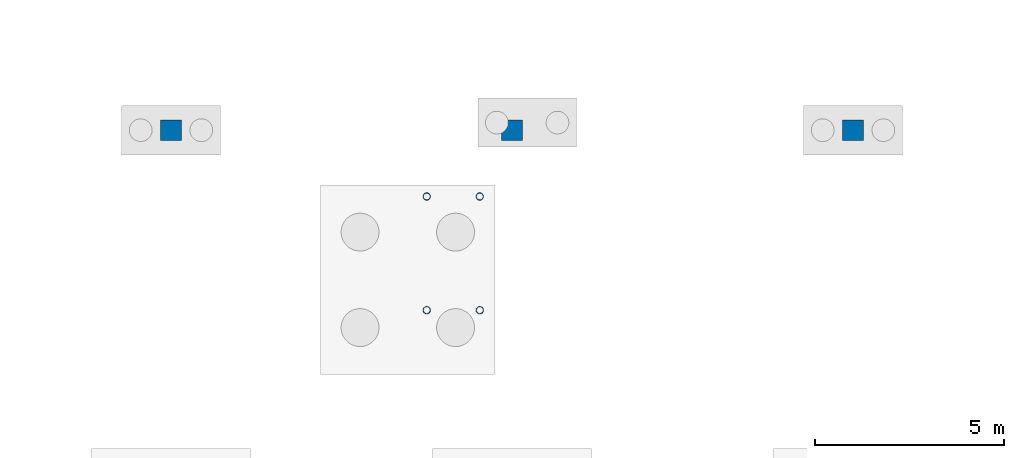
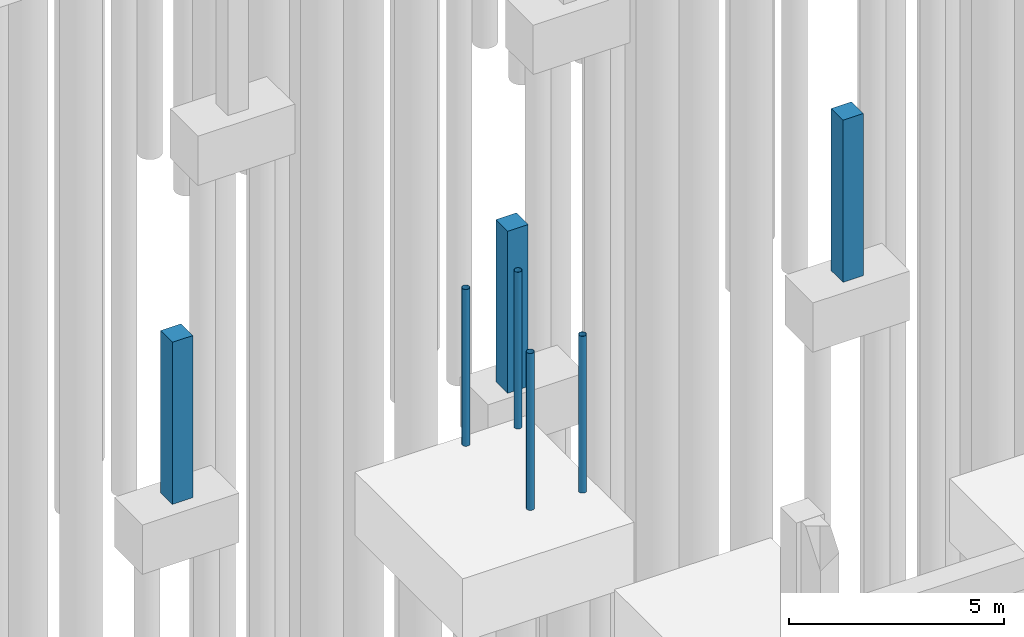
# One storey, part 9 of 36: 7 columns.
"""IFC4 building model written with IfcOpenShell, lengths in metres."""

from ifc_helpers import new_model, si_unit, derived_unit, direction, frame, origin, origin_2d, place, context, subcontext, project, spatial, rectangle, hollow_circle, extrude, material, material_profile, profile_set, type_object, element, save


model = new_model("IFC4")

# Units and contexts
model_context = context("Model", 3, precision=1e-05, world=origin(), true_north=direction((0.0, 1.0)))
body_context = subcontext(model_context, "Body", "Model", "MODEL_VIEW")
ifc_project = project(units=[si_unit("LENGTHUNIT", "METRE"), si_unit("AREAUNIT", "SQUARE_METRE"), si_unit("VOLUMEUNIT", "CUBIC_METRE"), si_unit("PLANEANGLEUNIT", "RADIAN"), si_unit("MASSUNIT", "GRAM", prefix="KILO"), si_unit("THERMODYNAMICTEMPERATUREUNIT", "KELVIN"), si_unit("TIMEUNIT", "SECOND"), derived_unit("THERMALTRANSMITTANCEUNIT", [(si_unit("MASSUNIT", "GRAM", prefix="KILO"), 1), (si_unit("THERMODYNAMICTEMPERATUREUNIT", "KELVIN"), -1), (si_unit("TIMEUNIT", "SECOND"), -3)])], contexts=[model_context])

# Site, building, storey
site_placement = place(None, origin())
site = spatial("IfcSite", under=ifc_project, at=site_placement, CompositionType="ELEMENT")
building_placement = place(site_placement, origin())
building = spatial("IfcBuilding", under=site, at=building_placement, Name="Cambertide Market Hall", CompositionType="ELEMENT")
storey_placement = place(building_placement, frame((0.0, 0.0, -4.199951171875)))
storey = spatial("IfcBuildingStorey", under=building, at=storey_placement, Name="B1", CompositionType="ELEMENT", Elevation=-4.199951171875)

# Columns
ifc_material_1 = material(Name="Concrete B30", Category="concrete")
ifc_material_profile_1 = material_profile(ifc_material_1, rectangle(XDim=0.550048828125, YDim=0.550048828125, at=origin_2d()), Name="RC 550x550")
ifc_profile_set_1 = profile_set([ifc_material_profile_1], Name="Concrete B30")
column_type_1 = type_object("IfcColumnType", Name="Concrete Column RC 550x550", PredefinedType="COLUMN", material=ifc_profile_set_1)
for number, where, z_axis, x_axis, name in (
    (1, (51.0, 65.5, -0.400146484375), (0.0, 0.0, 1.0), (1.0, 0.0, 0.0), "Basement 1 Column COL-V1-MS2-B1"),
    (2, (60.0, 65.5, -0.400146484375), (0.0, 0.0, 1.0), (1.0, 0.0, 0.0), "Basement 1 Column COL-V1-MS3-B1"),
    (3, (69.0, 65.5, -0.400146484375), (0.0, 0.0, 1.0), (1.0, 0.0, 0.0), "Basement 1 Column COL-V1-MS4-B1"),
):
    element("IfcColumn", number, at=place(storey_placement, frame(where, z_axis=z_axis, x_axis=x_axis)), inside=storey, type_object=column_type_1, Name=name, PredefinedType="COLUMN", context=body_context, shape_type="SweptSolid", body=[
        extrude(rectangle(XDim=0.550048828125, YDim=0.550048828125, at=origin_2d()), origin(), (0.0, 0.0, 1.0), 4.60009765625),
    ])
ifc_material_2 = material(Name="Steel S355", Category="steel")
ifc_material_profile_2 = material_profile(ifc_material_2, hollow_circle(Radius=0.096923828125, WallThickness=0.00634765625, at=origin_2d()), Name="CHS 193.7x6.3")
ifc_profile_set_2 = profile_set([ifc_material_profile_2], Name="Steel S355")
column_type_2 = type_object("IfcColumnType", Name="Steel Column CHS 193.7x6.3", PredefinedType="COLUMN", material=ifc_profile_set_2)
for number, where, z_axis, x_axis, name in (
    (4, (57.75, 60.75, -0.25), (0.0, 0.0, 1.0), (1.0, 0.0, 0.0), "Basement 1 Column COL-MPST-ST10-1-B1"),
    (5, (57.75, 63.75, -0.25), (0.0, 0.0, 1.0), (1.0, 0.0, 0.0), "Basement 1 Column COL-MPST-ST10-2-B1"),
    (6, (59.14990234375, 60.75, -0.25), (0.0, 0.0, 1.0), (1.0, 0.0, 0.0), "Basement 1 Column COL-MPST-ST10-3-B1"),
    (7, (59.14990234375, 63.75, -0.25), (0.0, 0.0, 1.0), (1.0, 0.0, 0.0), "Basement 1 Column COL-MPST-ST10-4-B1"),
):
    element("IfcColumn", number, at=place(storey_placement, frame(where, z_axis=z_axis, x_axis=x_axis)), inside=storey, type_object=column_type_2, Name=name, PredefinedType="COLUMN", context=body_context, shape_type="SweptSolid", body=[
        extrude(hollow_circle(Radius=0.096923828125, WallThickness=0.00634765625, at=origin_2d()), origin(), (0.0, 0.0, 1.0), 4.449951171875),
    ])

save(model, "model.ifc")
